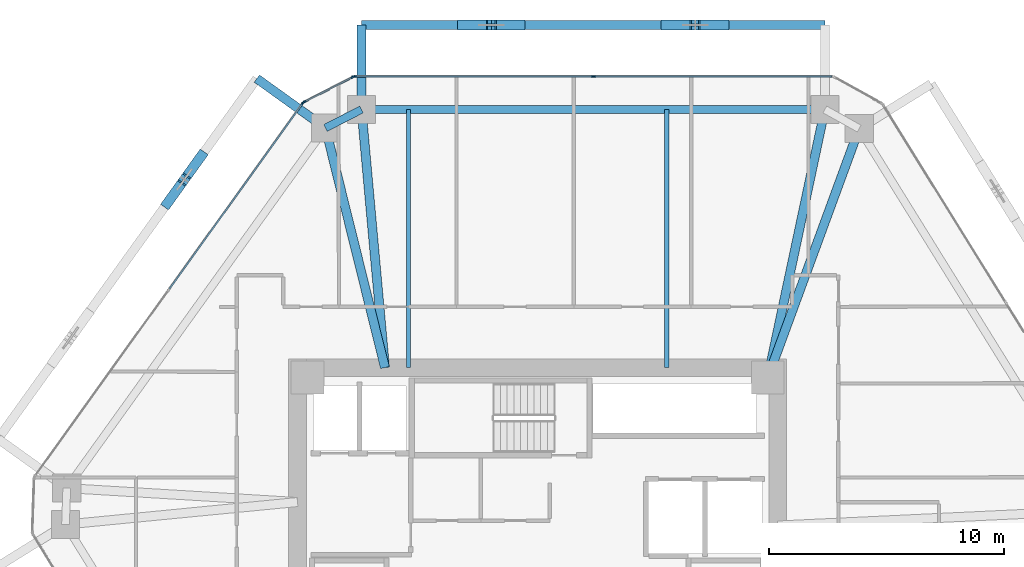
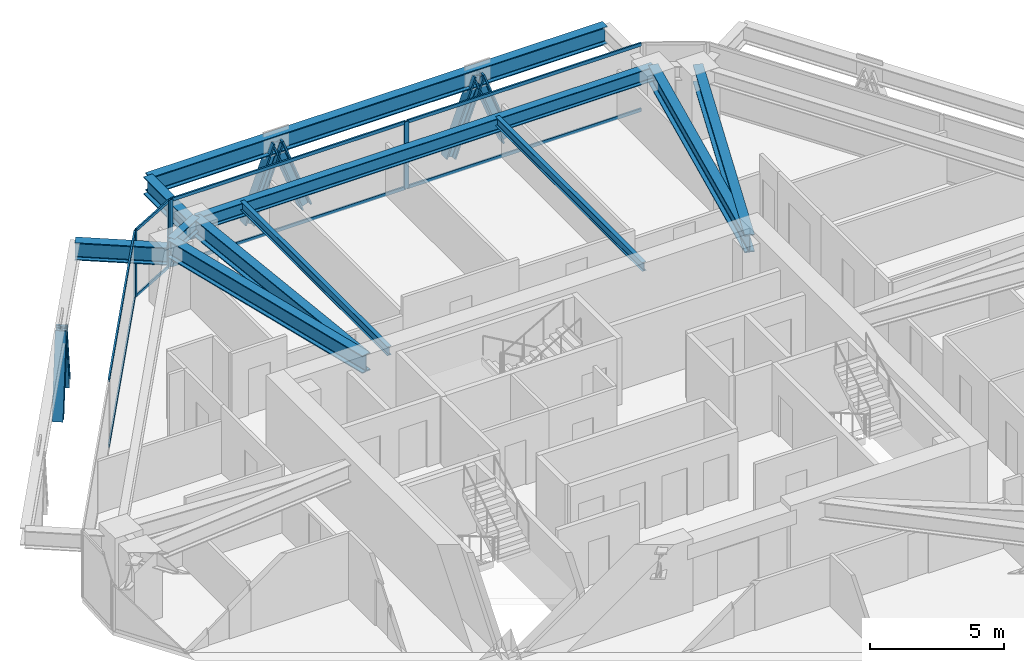
# One storey, part 7 of 16: 19 members, 11 beams, 3 elements without a shape of their own.
"""IFC4 building model written with IfcOpenShell, lengths in metres."""

import ifcopenshell
import ifcopenshell.guid

model = None  # the IFC model being written
_history = None  # IfcOwnerHistory: only IFC2X3 demands one
_inside = {}  # id of a spatial element -> (the spatial element, [elements in it])
_under = {}  # id of a project, library or spatial element -> (it, [spatial elements below it])
_declared = {}  # id of a project -> (the project, [libraries it declares])
_typed = {}  # id of a type object -> (the type object, [elements of that type])
_made_of = {}  # id of a material, layer set ... -> (it, [elements and type objects made of it])


def new_model(schema):
    """Start an empty IFC model of exactly this schema.

    Asked for "IFC4X3", IfcOpenShell would pick the latest addendum, in which some entities
    have other attributes; the version numbers below select the first issue.
    IFC2X3 requires an IfcOwnerHistory on every rooted entity: one is made here for all.
    """
    global model, _history
    if schema == "IFC4X3":
        model = ifcopenshell.file(schema_version=(4, 3, 0, 0))
    else:
        model = ifcopenshell.file(schema=schema)
    _inside.clear()
    _under.clear()
    _declared.clear()
    _typed.clear()
    _made_of.clear()
    _history = None
    if model.schema == "IFC2X3":
        org = make("IfcOrganization", Name="unknown")
        user = make(
            "IfcPersonAndOrganization",
            ThePerson=make("IfcPerson", FamilyName="unknown"),
            TheOrganization=org,
        )
        app = make(
            "IfcApplication",
            ApplicationDeveloper=org,
            Version="unknown",
            ApplicationFullName="unknown",
            ApplicationIdentifier="unknown",
        )
        _history = make(
            "IfcOwnerHistory",
            OwningUser=user,
            OwningApplication=app,
            ChangeAction="ADDED",
            CreationDate=0,
        )
    return model


def make(cls, **values):
    """One entity of the class cls with the attributes given. An attribute that is None is left unset."""
    return model.create_entity(
        cls, **{name: value for name, value in values.items() if value is not None}
    )


def rooted(cls, **values):
    """An entity with a GlobalId (a new one), such as an element, a storey or a relation."""
    return make(cls, GlobalId=ifcopenshell.guid.new(), OwnerHistory=_history, **values)


def si_unit(unit_type, name, prefix=None):
    """IfcSIUnit, for example si_unit("LENGTHUNIT", "METRE", prefix="MILLI")."""
    return make("IfcSIUnit", UnitType=unit_type, Prefix=prefix, Name=name)


def assignment(units):
    """IfcUnitAssignment: the units of a project."""
    return None if units is None else make("IfcUnitAssignment", Units=units)


def point(xyz):
    """IfcCartesianPoint."""
    return None if xyz is None else make("IfcCartesianPoint", Coordinates=xyz)


def direction(xyz):
    """IfcDirection."""
    return None if xyz is None else make("IfcDirection", DirectionRatios=xyz)


def frame(location, z_axis=None, x_axis=None):
    """IfcAxis2Placement3D, a coordinate frame: its origin and axes. An axis left out is left unset."""
    return make(
        "IfcAxis2Placement3D",
        Location=point(location),
        Axis=direction(z_axis),
        RefDirection=direction(x_axis),
    )


def frame_2d(location, x_axis=None):
    """IfcAxis2Placement2D, a coordinate frame in the plane: its origin and x axis."""
    return make(
        "IfcAxis2Placement2D", Location=point(location), RefDirection=direction(x_axis)
    )


def origin():
    """The frame at (0, 0, 0) with its axes left unset."""
    return frame((0.0, 0.0, 0.0))


def origin_2d():
    """The frame at (0, 0) in the plane with its x axis left unset."""
    return frame_2d((0.0, 0.0))


def place(relative_to, where):
    """IfcLocalPlacement: puts the frame where relative to a parent placement (None: the world)."""
    return make(
        "IfcLocalPlacement", PlacementRelTo=relative_to, RelativePlacement=where
    )


def context(
    kind, dimensions, precision=None, world=None, true_north=None, identifier=None
):
    """IfcGeometricRepresentationContext, for example the 3D "Model" context."""
    return make(
        "IfcGeometricRepresentationContext",
        ContextIdentifier=identifier,
        ContextType=kind,
        CoordinateSpaceDimension=dimensions,
        Precision=precision,
        WorldCoordinateSystem=world,
        TrueNorth=true_north,
    )


def subcontext(parent, identifier, kind, view, scale=None):
    """IfcGeometricRepresentationSubContext, for example "Body" below "Model"."""
    return make(
        "IfcGeometricRepresentationSubContext",
        ContextIdentifier=identifier,
        ContextType=kind,
        ParentContext=parent,
        TargetScale=scale,
        TargetView=view,
    )


def project(units=None, contexts=None):
    """IfcProject with its units and contexts."""
    return rooted(
        "IfcProject",
        Name="project",
        RepresentationContexts=contexts,
        UnitsInContext=assignment(units),
    )


def spatial(cls, under=None, at=None, **own):
    """A site, building, storey or space (cls), placed at a placement, below another one or the project."""
    s = rooted(cls, ObjectPlacement=at, **own)
    if under is not None:
        _under.setdefault(under.id(), (under, []))[1].append(s)
    return s


def profile(cls, at=None, kind="AREA", **sizes):
    """A parametric profile (cls). Its sizes go by their IFC names, for example OverallWidth=200.0."""
    return make(cls, ProfileType=kind, Position=at, **sizes)


def rectangle(**sizes):
    """IfcRectangleProfileDef."""
    return profile("IfcRectangleProfileDef", **sizes)


def i_section(**sizes):
    """IfcIShapeProfileDef."""
    return profile("IfcIShapeProfileDef", **sizes)


def extrude(swept, where, along, depth):
    """IfcExtrudedAreaSolid: the profile swept, set in the frame where, extruded along a direction by depth."""
    return make(
        "IfcExtrudedAreaSolid",
        SweptArea=swept,
        Position=where,
        ExtrudedDirection=direction(along),
        Depth=depth,
    )


def shape(context_of_items, identifier, shape_type, items):
    """IfcShapeRepresentation: the items that make up one representation, for example the "Body"."""
    return make(
        "IfcShapeRepresentation",
        ContextOfItems=context_of_items,
        RepresentationIdentifier=identifier,
        RepresentationType=shape_type,
        Items=items,
    )


def source(mapping_origin, context_of_items, identifier, shape_type, items):
    """IfcRepresentationMap: a shape defined once, which mapped items show again and again."""
    return make(
        "IfcRepresentationMap",
        MappingOrigin=mapping_origin,
        MappedRepresentation=shape(context_of_items, identifier, shape_type, items),
    )


def transform(
    local_origin,
    x_axis=None,
    y_axis=None,
    z_axis=None,
    scale=None,
    scale2=None,
    scale3=None,
    uniform=True,
):
    """IfcCartesianTransformationOperator3D, or its non-uniform kind. x_axis, y_axis, z_axis: its Axis1, 2, 3."""
    if uniform:
        return make(
            "IfcCartesianTransformationOperator3D",
            Axis1=direction(x_axis),
            Axis2=direction(y_axis),
            LocalOrigin=point(local_origin),
            Scale=scale,
            Axis3=direction(z_axis),
        )
    return make(
        "IfcCartesianTransformationOperator3DnonUniform",
        Axis1=direction(x_axis),
        Axis2=direction(y_axis),
        LocalOrigin=point(local_origin),
        Scale=scale,
        Axis3=direction(z_axis),
        Scale2=scale2,
        Scale3=scale3,
    )


def mapped(mapping_source, mapping_target):
    """IfcMappedItem: shows the shape of a source again, moved by a transform."""
    return make(
        "IfcMappedItem", MappingSource=mapping_source, MappingTarget=mapping_target
    )


def material(Name=None, Category=None):
    """IfcMaterial."""
    return make("IfcMaterial", Name=Name, Category=Category)


def layer(
    of_material, thickness, ventilated=None, Name=None, Category=None, Priority=None
):
    """IfcMaterialLayer: one layer of a wall or slab, of a material (None: an air gap)."""
    return make(
        "IfcMaterialLayer",
        Material=of_material,
        LayerThickness=thickness,
        IsVentilated=ventilated,
        Name=Name,
        Category=Category,
        Priority=Priority,
    )


def layer_set(layers, Name=None):
    """IfcMaterialLayerSet."""
    return make("IfcMaterialLayerSet", MaterialLayers=layers, LayerSetName=Name)


def material_profile(
    of_material, cross_section, Name=None, Category=None, Priority=None
):
    """IfcMaterialProfile: a cross section and its material."""
    return make(
        "IfcMaterialProfile",
        Name=Name,
        Material=of_material,
        Profile=cross_section,
        Priority=Priority,
        Category=Category,
    )


def profile_set(profiles, Name=None, composite=None):
    """IfcMaterialProfileSet."""
    return make(
        "IfcMaterialProfileSet",
        Name=Name,
        MaterialProfiles=profiles,
        CompositeProfile=composite,
    )


def made_of(thing, what):
    """Note that an element or type object is made of a material, layer set ...; save() writes the relation."""
    if what is not None:
        _made_of.setdefault(what.id(), (what, []))[1].append(thing)
    return thing


def type_object(cls, material=None, **own):
    """A type object (cls), such as IfcWallType, which elements share."""
    return made_of(rooted(cls, **own), material)


def type_shapes(of_type, sources):
    """Give a type object the sources (RepresentationMaps) that its elements show as mapped items."""
    of_type.RepresentationMaps = sources


def element(
    cls,
    number,
    at=None,
    inside=None,
    cuts=None,
    type_object=None,
    material=None,
    context=None,
    identifier="Body",
    shape_type=None,
    held_by="IfcProductDefinitionShape",
    body=None,
    shapes=None,
    **own,
):
    """One element of the class cls, such as IfcWall. Its Tag is "e" and its number.

    at: its placement. inside: the storey or other place that contains it. cuts: it is an
    opening in that element (IfcRelVoidsElement). A single representation is given by context,
    identifier, shape_type and body (its items); several are given by shapes. held_by: the class
    of the entity that holds the representations. save() writes the other relations.
    """
    e = rooted(cls, Tag="e%d" % number, ObjectPlacement=at, **own)
    if body is not None:
        shapes = [shape(context, identifier, shape_type, body)]
    if shapes is not None:
        e.Representation = make(held_by, Representations=shapes)
    if inside is not None:
        _inside.setdefault(inside.id(), (inside, []))[1].append(e)
    if cuts is not None:
        rooted(
            "IfcRelVoidsElement", RelatingBuildingElement=cuts, RelatedOpeningElement=e
        )
    if type_object is not None:
        _typed.setdefault(type_object.id(), (type_object, []))[1].append(e)
    return made_of(e, material)


def aggregate(whole, parts):
    """IfcRelAggregates: a whole, such as a stair, and the parts it consists of."""
    return rooted("IfcRelAggregates", RelatingObject=whole, RelatedObjects=parts)


def save(model, path):
    """Write the relations noted so far, then the file.

    IfcRelAggregates (storeys below a building ...), IfcRelContainedInSpatialStructure (elements
    in a storey), IfcRelDefinesByType, IfcRelAssociatesMaterial and IfcRelDeclares: one each for
    every whole, place, type object, material and project.
    """
    for whole, parts in _under.values():
        aggregate(whole, parts)
    for where, things in _inside.values():
        rooted(
            "IfcRelContainedInSpatialStructure",
            RelatedElements=things,
            RelatingStructure=where,
        )
    for kind, things in _typed.values():
        rooted("IfcRelDefinesByType", RelatedObjects=things, RelatingType=kind)
    for what, things in _made_of.values():
        rooted("IfcRelAssociatesMaterial", RelatedObjects=things, RelatingMaterial=what)
    for by, libraries in _declared.values():
        rooted("IfcRelDeclares", RelatingContext=by, RelatedDefinitions=libraries)
    model.write(path)


model = new_model("IFC4")

# Units and contexts
model_context = context("Model", 3, precision=1e-05, world=origin(), true_north=direction((0.0, 1.0)))
body_context = subcontext(model_context, "Body", "Model", "MODEL_VIEW")
ifc_project = project(units=[si_unit("LENGTHUNIT", "METRE"), si_unit("AREAUNIT", "SQUARE_METRE"), si_unit("VOLUMEUNIT", "CUBIC_METRE"), si_unit("PLANEANGLEUNIT", "RADIAN"), si_unit("MASSUNIT", "GRAM", prefix="KILO")], contexts=[model_context])

# Site, building, storey
site_placement = place(None, origin())
site = spatial("IfcSite", under=ifc_project, at=site_placement, CompositionType="ELEMENT")
building_placement = place(site_placement, origin())
building = spatial("IfcBuilding", under=site, at=building_placement, Name="Durnholm Broadcast Tower", CompositionType="ELEMENT")
storey_placement = place(building_placement, frame((0.0, 0.0, 130.5)))
storey = spatial("IfcBuildingStorey", under=building, at=storey_placement, Name="L35", CompositionType="ELEMENT", Elevation=130.5)

# Beams
ifc_material_1 = material(Name="Steel ASTM A992 Grade 50", Category="steel")
ifc_material_profile_1 = material_profile(ifc_material_1, i_section(OverallWidth=0.385009765625, OverallDepth=0.802978515625, WebThickness=0.023681640625, FlangeThickness=0.0419921875, FilletRadius=0.032958984375, at=origin_2d()), Name="W30X261")
ifc_profile_set_1 = profile_set([ifc_material_profile_1], Name="Steel ASTM A992 Grade 50")
beam_type_1 = type_object("IfcBeamType", Name="BM-EXO-TIE", PredefinedType="USERDEFINED", material=ifc_profile_set_1)
shared_shape_1 = source(origin(), body_context, "Body", "SweptSolid", [
    extrude(i_section(OverallWidth=0.385009765625, OverallDepth=0.802978515625, WebThickness=0.023681640625, FlangeThickness=0.0419921875, FilletRadius=0.032958984375, at=origin_2d()), origin(), (0.0, 0.0, 1.0), 3.4560546875),
])
beam_1_placement = place(storey_placement, frame((-7.498046875, 19.35888671875, 2.30859375), z_axis=(0.0, 1.0, 0.0), x_axis=(-1.0, 0.0, 0.0)))
element("IfcBeam", 1, at=beam_1_placement, inside=storey, type_object=beam_type_1, Name="L35 exoskeleton stand-off tie bracket F4.2", ObjectType="GIRDER", PredefinedType="USERDEFINED", context=body_context, shape_type="MappedRepresentation", body=[
    mapped(shared_shape_1, transform((0.0, 0.0, 0.0), x_axis=(1.0, 0.0, 0.0), y_axis=(0.0, 1.0, 0.0), z_axis=(0.0, 0.0, 1.0), scale=1.0)),
])
ifc_material_profile_2 = material_profile(ifc_material_1, i_section(OverallWidth=0.3291015625, OverallDepth=0.635009765625, WebThickness=0.017822265625, FlangeThickness=0.031005859375, FilletRadius=0.02783203125, at=origin_2d()), Name="W24X162")
ifc_profile_set_2 = profile_set([ifc_material_profile_2], Name="Steel ASTM A992 Grade 50")
beam_type_2 = type_object("IfcBeamType", Name="STL-SP-W24X162", PredefinedType="SPANDREL", material=ifc_profile_set_2)
shared_shape_2 = source(origin(), body_context, "Body", "SweptSolid", [
    extrude(i_section(OverallWidth=0.3291015625, OverallDepth=0.635009765625, WebThickness=0.017822265625, FlangeThickness=0.031005859375, FilletRadius=0.02783203125, at=origin_2d()), origin(), (0.0, 0.0, 1.0), 1.723876953125),
])
beam_2_placement = place(storey_placement, frame((-9.031982421875, 18.42822265625, 2.7275390625), z_axis=(0.889762904339, 0.456423020959, 0.0), x_axis=(-0.456423020959, 0.889762904339, 0.0)))
element("IfcBeam", 2, at=beam_2_placement, inside=storey, type_object=beam_type_2, Name="L35 perimeter spandrel girder 04", PredefinedType="SPANDREL", context=body_context, shape_type="MappedRepresentation", body=[
    mapped(shared_shape_2, transform((0.0, 0.0, 0.0), x_axis=(1.0, 0.0, 0.0), y_axis=(0.0, 1.0, 0.0), z_axis=(0.0, 0.0, 1.0), scale=1.0)),
])
shared_shape_3 = source(origin(), body_context, "Body", "SweptSolid", [
    extrude(i_section(OverallWidth=0.3291015625, OverallDepth=0.635009765625, WebThickness=0.017822265625, FlangeThickness=0.031005859375, FilletRadius=0.02783203125, at=origin_2d()), origin(), (0.0, 0.0, 1.0), 19.72802734375),
])
type_shapes(beam_type_2, [shared_shape_2, shared_shape_3])
beam_3_placement = place(storey_placement, frame((-7.498046875, 19.215087890625, 2.7275390625), z_axis=(1.0, 0.0, 0.0), x_axis=(0.0, 1.0, 0.0)))
element("IfcBeam", 3, at=beam_3_placement, inside=storey, type_object=beam_type_2, Name="L35 perimeter spandrel girder 05", PredefinedType="SPANDREL", context=body_context, shape_type="MappedRepresentation", body=[
    mapped(shared_shape_3, transform((0.0, 0.0, 0.0), x_axis=(1.0, 0.0, 0.0), y_axis=(0.0, 1.0, 0.0), z_axis=(0.0, 0.0, 1.0), scale=1.0)),
])
ifc_material_profile_3 = material_profile(ifc_material_1, i_section(OverallWidth=0.385009765625, OverallDepth=0.802978515625, WebThickness=0.023681640625, FlangeThickness=0.0419921875, FilletRadius=0.032958984375, at=origin_2d()), Name="W30X261")
ifc_profile_set_3 = profile_set([ifc_material_profile_3], Name="Steel ASTM A992 Grade 50")
beam_type_3 = type_object("IfcBeamType", Name="STL-GR-W30X261", PredefinedType="USERDEFINED", material=ifc_profile_set_3)
shared_shape_4 = source(origin(), body_context, "Body", "SweptSolid", [
    extrude(i_section(OverallWidth=0.385009765625, OverallDepth=0.802978515625, WebThickness=0.023681640625, FlangeThickness=0.0419921875, FilletRadius=0.032958984375, at=origin_2d()), origin(), (0.0, 0.0, 1.0), 10.5126953125),
])
beam_4_placement = place(storey_placement, frame((-6.5, 8.22509765625, 2.6435546875), z_axis=(-0.240852230194, 0.970561797729, 0.0), x_axis=(-0.970561797729, -0.240852230194, 0.0)))
element("IfcBeam", 4, at=beam_4_placement, inside=storey, type_object=beam_type_3, Name="L35 radial primary floor girder 04", ObjectType="GIRDER", PredefinedType="USERDEFINED", context=body_context, shape_type="MappedRepresentation", body=[
    mapped(shared_shape_4, transform((0.0, 0.0, 0.0), x_axis=(1.0, 0.0, 0.0), y_axis=(0.0, 1.0, 0.0), z_axis=(0.0, 0.0, 1.0), scale=1.0)),
])
shared_shape_5 = source(origin(), body_context, "Body", "SweptSolid", [
    extrude(i_section(OverallWidth=0.385009765625, OverallDepth=0.802978515625, WebThickness=0.023681640625, FlangeThickness=0.0419921875, FilletRadius=0.032958984375, at=origin_2d()), origin(), (0.0, 0.0, 1.0), 11.03515625),
])
beam_5_placement = place(storey_placement, frame((-6.5, 8.22509765625, 2.6435546875), z_axis=(-0.090441991612, 0.995901725148, 0.0), x_axis=(-0.995901725148, -0.090441991612, 0.0)))
element("IfcBeam", 5, at=beam_5_placement, inside=storey, type_object=beam_type_3, Name="L35 radial primary floor girder 05", ObjectType="GIRDER", PredefinedType="USERDEFINED", context=body_context, shape_type="MappedRepresentation", body=[
    mapped(shared_shape_5, transform((0.0, 0.0, 0.0), x_axis=(1.0, 0.0, 0.0), y_axis=(0.0, 1.0, 0.0), z_axis=(0.0, 0.0, 1.0), scale=1.0)),
])
shared_shape_6 = source(origin(), body_context, "Body", "SweptSolid", [
    extrude(i_section(OverallWidth=0.385009765625, OverallDepth=0.802978515625, WebThickness=0.023681640625, FlangeThickness=0.0419921875, FilletRadius=0.032958984375, at=origin_2d()), origin(), (0.0, 0.0, 1.0), 11.6708984375),
])
beam_6_placement = place(storey_placement, frame((9.800048828125, 7.800048828125, 2.6435546875), z_axis=(0.208206004915, 0.97808499606, 0.0), x_axis=(-0.97808499606, 0.208206004915, 0.0)))
element("IfcBeam", 6, at=beam_6_placement, inside=storey, type_object=beam_type_3, Name="L35 radial primary floor girder 06", ObjectType="GIRDER", PredefinedType="USERDEFINED", context=body_context, shape_type="MappedRepresentation", body=[
    mapped(shared_shape_6, transform((0.0, 0.0, 0.0), x_axis=(1.0, 0.0, 0.0), y_axis=(0.0, 1.0, 0.0), z_axis=(0.0, 0.0, 1.0), scale=1.0)),
])
shared_shape_7 = source(origin(), body_context, "Body", "SweptSolid", [
    extrude(i_section(OverallWidth=0.385009765625, OverallDepth=0.802978515625, WebThickness=0.023681640625, FlangeThickness=0.0419921875, FilletRadius=0.032958984375, at=origin_2d()), origin(), (0.0, 0.0, 1.0), 11.293212890625),
])
type_shapes(beam_type_3, [shared_shape_4, shared_shape_5, shared_shape_6, shared_shape_7])
beam_7_placement = place(storey_placement, frame((9.800048828125, 7.800048828125, 2.6435546875), z_axis=(0.344640193759, 0.938734859716, 0.0), x_axis=(-0.938734859716, 0.344640193759, 0.0)))
element("IfcBeam", 7, at=beam_7_placement, inside=storey, type_object=beam_type_3, Name="L35 radial primary floor girder 07", ObjectType="GIRDER", PredefinedType="USERDEFINED", context=body_context, shape_type="MappedRepresentation", body=[
    mapped(shared_shape_7, transform((0.0, 0.0, 0.0), x_axis=(1.0, 0.0, 0.0), y_axis=(0.0, 1.0, 0.0), z_axis=(0.0, 0.0, 1.0), scale=1.0)),
])
ifc_material_profile_4 = material_profile(ifc_material_1, i_section(OverallWidth=0.177734375, OverallDepth=0.40673828125, WebThickness=0.0078125, FlangeThickness=0.0126953125, FilletRadius=0.01904296875, at=origin_2d()), Name="W16X40")
ifc_profile_set_4 = profile_set([ifc_material_profile_4], Name="Steel ASTM A992 Grade 50")
beam_type_4 = type_object("IfcBeamType", Name="STL-BJ-W16X40", PredefinedType="JOIST", material=ifc_profile_set_4)
shared_shape_8 = source(origin(), body_context, "Body", "SweptSolid", [
    extrude(i_section(OverallWidth=0.177734375, OverallDepth=0.40673828125, WebThickness=0.0078125, FlangeThickness=0.0126953125, FilletRadius=0.01904296875, at=origin_2d()), origin(), (0.0, 0.0, 1.0), 10.989990234375),
])
type_shapes(beam_type_4, [shared_shape_8])
for number, where, z_axis, x_axis, name in (
    (8, (-5.5, 8.22509765625, 2.841796875), (0.0, 1.0, 0.0), (-1.0, 0.0, 0.0), "L35 secondary floor joist 3.2"),
    (9, (5.5, 8.22509765625, 2.841796875), (0.0, 1.0, 0.0), (-1.0, 0.0, 0.0), "L35 secondary floor joist 4.2"),
):
    element("IfcBeam", number, at=place(storey_placement, frame(where, z_axis=z_axis, x_axis=x_axis)), inside=storey, type_object=beam_type_4, Name=name, PredefinedType="JOIST", context=body_context, shape_type="MappedRepresentation", body=[
        mapped(shared_shape_8, transform((0.0, 0.0, 0.0), x_axis=(1.0, 0.0, 0.0), y_axis=(0.0, 1.0, 0.0), z_axis=(0.0, 0.0, 1.0), scale=1.0)),
    ])
shared_shape_9 = source(origin(), body_context, "Body", "SweptSolid", [
    extrude(i_section(OverallWidth=0.385009765625, OverallDepth=0.802978515625, WebThickness=0.023681640625, FlangeThickness=0.0419921875, FilletRadius=0.032958984375, at=origin_2d()), origin(), (0.0, 0.0, 1.0), 19.72802734375),
])
beam_8_placement = place(storey_placement, frame((12.22998046875, 22.81494140625, 2.30859375), z_axis=(-1.0, 0.0, 0.0), x_axis=(0.0, -1.0, 0.0)))
element("IfcBeam", 10, at=beam_8_placement, inside=storey, type_object=beam_type_1, Name="L35 exoskeleton collector spandrel F4", PredefinedType="SPANDREL", context=body_context, shape_type="MappedRepresentation", body=[
    mapped(shared_shape_9, transform((0.0, 0.0, 0.0), x_axis=(1.0, 0.0, 0.0), y_axis=(0.0, 1.0, 0.0), z_axis=(0.0, 0.0, 1.0), scale=1.0)),
])
shared_shape_10 = source(origin(), body_context, "Body", "SweptSolid", [
    extrude(i_section(OverallWidth=0.385009765625, OverallDepth=0.802978515625, WebThickness=0.023681640625, FlangeThickness=0.0419921875, FilletRadius=0.032958984375, at=origin_2d()), origin(), (0.0, 0.0, 1.0), 3.456298828125),
])
type_shapes(beam_type_1, [shared_shape_1, shared_shape_9, shared_shape_10])
beam_9_placement = place(storey_placement, frame((-9.14892578125, 18.51220703125, 2.30859375), z_axis=(-0.812131479052, 0.583474473077, 0.0), x_axis=(-0.583474473077, -0.812131479052, 0.0)))
element("IfcBeam", 11, at=beam_9_placement, inside=storey, type_object=beam_type_1, Name="L35 exoskeleton stand-off tie bracket F5.1", ObjectType="GIRDER", PredefinedType="USERDEFINED", context=body_context, shape_type="MappedRepresentation", body=[
    mapped(shared_shape_10, transform((0.0, 0.0, 0.0), x_axis=(1.0, 0.0, 0.0), y_axis=(0.0, 1.0, 0.0), z_axis=(0.0, 0.0, 1.0), scale=1.0)),
])

# Members
ifc_material_2 = material(Name="Steel ASTM A913 Grade 65", Category="steel")
ifc_material_profile_5 = material_profile(ifc_material_2, i_section(OverallWidth=0.41845703125, OverallDepth=0.455078125, WebThickness=0.0419921875, FlangeThickness=0.067626953125, FilletRadius=0.030517578125, at=origin_2d()), Name="W14X370")
ifc_profile_set_5 = profile_set([ifc_material_profile_5], Name="Steel ASTM A913 Grade 65")
member_type_1 = type_object("IfcMemberType", Name="STL-DG-W14X370", PredefinedType="BRACE", material=ifc_profile_set_5)
shared_shape_11 = source(origin(), body_context, "Body", "SweptSolid", [
    extrude(i_section(OverallWidth=0.41845703125, OverallDepth=0.455078125, WebThickness=0.0419921875, FlangeThickness=0.067626953125, FilletRadius=0.030517578125, at=origin_2d()), origin(), (0.0, 0.0, 1.0), 3.523193359375),
])
type_shapes(member_type_1, [shared_shape_11])
for number, where, z_axis, x_axis, name in (
    (12, (7.93994140625, 22.81494140625, -0.991455078125), (-0.350219588454, 0.0, 0.936667625075), (0.0, -1.0, 0.0), "L35 stand-off diagrid brace F4.D1.1"),
    (13, (5.472412109375, 22.81494140625, -0.991455078125), (0.350158790071, 0.0, 0.936690355313), (0.0, 1.0, 0.0), "L35 stand-off diagrid brace F4.D1.2"),
    (14, (-0.740478515625, 22.81494140625, -0.991455078125), (-0.350219588454, 0.0, 0.936667625075), (0.0, -1.0, 0.0), "L35 stand-off diagrid brace F4.D2.1"),
    (15, (-3.2080078125, 22.81494140625, -0.991455078125), (0.350158790071, 0.0, 0.936690355313), (0.0, 1.0, 0.0), "L35 stand-off diagrid brace F4.D2.2"),
    (16, (-14.321044921875, 17.236328125, -0.991455078125), (-0.204287819296, -0.284395254542, 0.936688756248), (0.812179469647, -0.583407669717, 0.0), "L35 stand-off diagrid brace F5.D1.1"),
    (17, (-15.7607421875, 15.232421875, -0.991455078125), (0.204354222964, 0.284391227889, 0.936675493998), (-0.812085698931, 0.583538188632, 0.0), "L35 stand-off diagrid brace F5.D1.2"),
):
    element("IfcMember", number, at=place(storey_placement, frame(where, z_axis=z_axis, x_axis=x_axis)), inside=storey, type_object=member_type_1, Name=name, PredefinedType="BRACE", context=body_context, shape_type="MappedRepresentation", body=[
        mapped(shared_shape_11, transform((0.0, 0.0, 0.0), x_axis=(1.0, 0.0, 0.0), y_axis=(0.0, 1.0, 0.0), z_axis=(0.0, 0.0, 1.0), scale=1.0)),
    ])

# Curtain wall, members
ifc_material_3 = material(Name="Aluminium and Solar Control IGU", Category="aluminium")
ifc_layer_1 = layer(ifc_material_3, 0.1650390625)
ifc_layer_set_1 = layer_set([ifc_layer_1], Name="Aluminium and Solar Control IGU")
curtain_wall_type_1 = type_object("IfcCurtainWallType", Name="CW-SYS-5", PredefinedType="NOTDEFINED", material=ifc_layer_set_1)
curtain_wall_1_placement = place(storey_placement, origin())
curtain_wall_1 = element("IfcCurtainWall", 18, at=curtain_wall_1_placement, inside=storey, type_object=curtain_wall_type_1, Name="L35 curtain wall CW-CORNER CW-L35-CRN-03", PredefinedType="NOTDEFINED")
ifc_material_4 = material(Name="Aluminium 6063-T6", Category="aluminium")
ifc_material_profile_6 = material_profile(ifc_material_4, rectangle(XDim=0.06494140625, YDim=0.1650390625, at=origin_2d()), Name="CWM65X165")
ifc_profile_set_6 = profile_set([ifc_material_profile_6], Name="Aluminium 6063-T6")
member_type_2 = type_object("IfcMemberType", Name="CW-SYS-5-MUL", PredefinedType="MULLION", material=ifc_profile_set_6)
shared_shape_12 = source(origin(), body_context, "Body", "SweptSolid", [
    extrude(rectangle(XDim=0.06494140625, YDim=0.1650390625, at=origin_2d()), origin(), (0.0, 0.0, 1.0), 3.06005859375),
])
type_shapes(member_type_2, [shared_shape_12])
member_1_placement = place(storey_placement, frame((-9.94287109375, 19.534423828125, 0.0), z_axis=(0.0, 0.0, 1.0), x_axis=(-0.45637332267, 0.889788396392, 0.0)))
member_1 = element("IfcMember", 19, at=member_1_placement, type_object=member_type_2, Name="CW-CORNER mullion 1", PredefinedType="MULLION", context=body_context, shape_type="MappedRepresentation", body=[
    mapped(shared_shape_12, transform((0.0, 0.0, 0.0), x_axis=(1.0, 0.0, 0.0), y_axis=(0.0, 1.0, 0.0), z_axis=(0.0, 0.0, 1.0), scale=1.0)),
])
member_2_placement = place(storey_placement, frame((-7.865234375, 20.60009765625, 0.0), z_axis=(0.0, 0.0, 1.0), x_axis=(-0.45637332267, 0.889788396392, 0.0)))
member_2 = element("IfcMember", 20, at=member_2_placement, type_object=member_type_2, Name="CW-CORNER mullion 2", PredefinedType="MULLION", context=body_context, shape_type="MappedRepresentation", body=[
    mapped(shared_shape_12, transform((0.0, 0.0, 0.0), x_axis=(1.0, 0.0, 0.0), y_axis=(0.0, 1.0, 0.0), z_axis=(0.0, 0.0, 1.0), scale=1.0)),
])

# Curtain wall, member
ifc_layer_2 = layer(ifc_material_3, 0.18994140625)
ifc_layer_set_2 = layer_set([ifc_layer_2], Name="Aluminium and Solar Control IGU")
curtain_wall_type_2 = type_object("IfcCurtainWallType", Name="CW-SYS-3", PredefinedType="NOTDEFINED", material=ifc_layer_set_2)
curtain_wall_2_placement = place(storey_placement, origin())
curtain_wall_2 = element("IfcCurtainWall", 21, at=curtain_wall_2_placement, inside=storey, type_object=curtain_wall_type_2, Name="L35 curtain wall CW-Z12-VIS CW-L35-F02", PredefinedType="NOTDEFINED")
ifc_material_profile_7 = material_profile(ifc_material_4, rectangle(XDim=0.070068359375, YDim=0.18994140625, at=origin_2d()), Name="CWM70X190")
ifc_profile_set_7 = profile_set([ifc_material_profile_7], Name="Aluminium 6063-T6")
member_type_3 = type_object("IfcMemberType", Name="CW-SYS-3-MUL", PredefinedType="MULLION", material=ifc_profile_set_7)
shared_shape_13 = source(origin(), body_context, "Body", "SweptSolid", [
    extrude(rectangle(XDim=0.070068359375, YDim=0.18994140625, at=origin_2d()), origin(), (0.0, 0.0, 1.0), 3.06005859375),
])
type_shapes(member_type_3, [shared_shape_13])
member_3_placement = place(storey_placement, frame((-9.9921875, 19.4912109375, 0.0), z_axis=(0.0, 0.0, 1.0), x_axis=(-0.812152312759, 0.583445473786, 0.0)))
member_3 = element("IfcMember", 22, at=member_3_placement, type_object=member_type_3, Name="CW-Z12-VIS mullion 3", PredefinedType="MULLION", context=body_context, shape_type="MappedRepresentation", body=[
    mapped(shared_shape_13, transform((0.0, 0.0, 0.0), x_axis=(1.0, 0.0, 0.0), y_axis=(0.0, 1.0, 0.0), z_axis=(0.0, 0.0, 1.0), scale=1.0)),
])

# Curtain wall, members
curtain_wall_3_placement = place(storey_placement, origin())
curtain_wall_3 = element("IfcCurtainWall", 23, at=curtain_wall_3_placement, inside=storey, type_object=curtain_wall_type_2, Name="L35 curtain wall CW-Z12-VIS CW-L35-F04", PredefinedType="NOTDEFINED")
member_4_placement = place(storey_placement, frame((-7.80126953125, 20.614990234375, 0.0), z_axis=(0.0, 0.0, 1.0), x_axis=(0.0, 1.0, 0.0)))
member_4 = element("IfcMember", 24, at=member_4_placement, type_object=member_type_3, Name="CW-Z12-VIS mullion 1", PredefinedType="MULLION", context=body_context, shape_type="MappedRepresentation", body=[
    mapped(shared_shape_13, transform((0.0, 0.0, 0.0), x_axis=(1.0, 0.0, 0.0), y_axis=(0.0, 1.0, 0.0), z_axis=(0.0, 0.0, 1.0), scale=1.0)),
])
member_5_placement = place(storey_placement, frame((2.37841796875, 20.614990234375, 0.0), z_axis=(0.0, 0.0, 1.0), x_axis=(0.0, 1.0, 0.0)))
member_5 = element("IfcMember", 25, at=member_5_placement, type_object=member_type_3, Name="CW-Z12-VIS mullion 2", PredefinedType="MULLION", context=body_context, shape_type="MappedRepresentation", body=[
    mapped(shared_shape_13, transform((0.0, 0.0, 0.0), x_axis=(1.0, 0.0, 0.0), y_axis=(0.0, 1.0, 0.0), z_axis=(0.0, 0.0, 1.0), scale=1.0)),
])

# Member
ifc_material_profile_8 = material_profile(ifc_material_4, rectangle(XDim=0.06494140625, YDim=0.1298828125, at=origin_2d()), Name="CWT65X130")
ifc_profile_set_8 = profile_set([ifc_material_profile_8], Name="Aluminium 6063-T6")
member_type_4 = type_object("IfcMemberType", Name="CW-SYS-5-TRN", PredefinedType="USERDEFINED", material=ifc_profile_set_8)
shared_shape_14 = source(origin(), body_context, "Body", "SweptSolid", [
    extrude(rectangle(XDim=0.06494140625, YDim=0.1298828125, at=origin_2d()), origin(), (0.0, 0.0, 1.0), 2.27001953125),
])
type_shapes(member_type_4, [shared_shape_14])
member_6_placement = place(storey_placement, frame((-9.913818359375, 19.54931640625, 0.032470703125), z_axis=(0.889754750021, 0.456438916849, 0.0), x_axis=(-0.456438916849, 0.889754750021, 0.0)))
member_6 = element("IfcMember", 26, at=member_6_placement, type_object=member_type_4, Name="CW-CORNER transom 1.1", ObjectType="TRANSOM", PredefinedType="USERDEFINED", context=body_context, shape_type="MappedRepresentation", body=[
    mapped(shared_shape_14, transform((0.0, 0.0, 0.0), x_axis=(1.0, 0.0, 0.0), y_axis=(0.0, 1.0, 0.0), z_axis=(0.0, 0.0, 1.0), scale=1.0)),
])

member_7_placement = place(storey_placement, frame((-9.913818359375, 19.54931640625, 3.027587890625), z_axis=(0.889754750021, 0.456438916849, 0.0), x_axis=(-0.456438916849, 0.889754750021, 0.0)))
member_7 = element("IfcMember", 27, at=member_7_placement, type_object=member_type_4, Name="CW-CORNER transom 1.2", ObjectType="TRANSOM", PredefinedType="USERDEFINED", context=body_context, shape_type="MappedRepresentation", body=[
    mapped(shared_shape_14, transform((0.0, 0.0, 0.0), x_axis=(1.0, 0.0, 0.0), y_axis=(0.0, 1.0, 0.0), z_axis=(0.0, 0.0, 1.0), scale=1.0)),
])

aggregate(curtain_wall_1, [member_1, member_2, member_6, member_7])

ifc_material_profile_9 = material_profile(ifc_material_4, rectangle(XDim=0.070068359375, YDim=0.14990234375, at=origin_2d()), Name="CWT70X150")
ifc_profile_set_9 = profile_set([ifc_material_profile_9], Name="Aluminium 6063-T6")
member_type_5 = type_object("IfcMemberType", Name="CW-SYS-3-TRN", PredefinedType="USERDEFINED", material=ifc_profile_set_9)
shared_shape_15 = source(origin(), body_context, "Body", "SweptSolid", [
    extrude(rectangle(XDim=0.070068359375, YDim=0.14990234375, at=origin_2d()), origin(), (0.0, 0.0, 1.0), 9.71875),
])
member_8_placement = place(storey_placement, frame((-15.682861328125, 11.56982421875, 0.034912109375), z_axis=(0.583450726174, 0.812148539448, 0.0), x_axis=(-0.812148539448, 0.583450726174, 0.0)))
member_8 = element("IfcMember", 28, at=member_8_placement, type_object=member_type_5, Name="CW-Z12-VIS transom 2.1", ObjectType="TRANSOM", PredefinedType="USERDEFINED", context=body_context, shape_type="MappedRepresentation", body=[
    mapped(shared_shape_15, transform((0.0, 0.0, 0.0), x_axis=(1.0, 0.0, 0.0), y_axis=(0.0, 1.0, 0.0), z_axis=(0.0, 0.0, 1.0), scale=1.0)),
])

member_9_placement = place(storey_placement, frame((-15.682861328125, 11.56982421875, 3.02490234375), z_axis=(0.583450726174, 0.812148539448, 0.0), x_axis=(-0.812148539448, 0.583450726174, 0.0)))
member_9 = element("IfcMember", 29, at=member_9_placement, type_object=member_type_5, Name="CW-Z12-VIS transom 2.2", ObjectType="TRANSOM", PredefinedType="USERDEFINED", context=body_context, shape_type="MappedRepresentation", body=[
    mapped(shared_shape_15, transform((0.0, 0.0, 0.0), x_axis=(1.0, 0.0, 0.0), y_axis=(0.0, 1.0, 0.0), z_axis=(0.0, 0.0, 1.0), scale=1.0)),
])

aggregate(curtain_wall_2, [member_3, member_8, member_9])

shared_shape_16 = source(origin(), body_context, "Body", "SweptSolid", [
    extrude(rectangle(XDim=0.070068359375, YDim=0.14990234375, at=origin_2d()), origin(), (0.0, 0.0, 1.0), 10.109619140625),
])
type_shapes(member_type_5, [shared_shape_15, shared_shape_16])
member_10_placement = place(storey_placement, frame((-7.76611328125, 20.614990234375, 0.034912109375), z_axis=(1.0, 0.0, 0.0), x_axis=(0.0, 1.0, 0.0)))
member_10 = element("IfcMember", 30, at=member_10_placement, type_object=member_type_5, Name="CW-Z12-VIS transom 1.1", ObjectType="TRANSOM", PredefinedType="USERDEFINED", context=body_context, shape_type="MappedRepresentation", body=[
    mapped(shared_shape_16, transform((0.0, 0.0, 0.0), x_axis=(1.0, 0.0, 0.0), y_axis=(0.0, 1.0, 0.0), z_axis=(0.0, 0.0, 1.0), scale=1.0)),
])

member_11_placement = place(storey_placement, frame((-7.76611328125, 20.614990234375, 3.02490234375), z_axis=(1.0, 0.0, 0.0), x_axis=(0.0, 1.0, 0.0)))
member_11 = element("IfcMember", 31, at=member_11_placement, type_object=member_type_5, Name="CW-Z12-VIS transom 1.2", ObjectType="TRANSOM", PredefinedType="USERDEFINED", context=body_context, shape_type="MappedRepresentation", body=[
    mapped(shared_shape_16, transform((0.0, 0.0, 0.0), x_axis=(1.0, 0.0, 0.0), y_axis=(0.0, 1.0, 0.0), z_axis=(0.0, 0.0, 1.0), scale=1.0)),
])

member_12_placement = place(storey_placement, frame((2.41357421875, 20.614990234375, 0.034912109375), z_axis=(1.0, 0.0, 0.0), x_axis=(0.0, 1.0, 0.0)))
member_12 = element("IfcMember", 32, at=member_12_placement, type_object=member_type_5, Name="CW-Z12-VIS transom 2.1", ObjectType="TRANSOM", PredefinedType="USERDEFINED", context=body_context, shape_type="MappedRepresentation", body=[
    mapped(shared_shape_16, transform((0.0, 0.0, 0.0), x_axis=(1.0, 0.0, 0.0), y_axis=(0.0, 1.0, 0.0), z_axis=(0.0, 0.0, 1.0), scale=1.0)),
])

member_13_placement = place(storey_placement, frame((2.41357421875, 20.614990234375, 3.02490234375), z_axis=(1.0, 0.0, 0.0), x_axis=(0.0, 1.0, 0.0)))
member_13 = element("IfcMember", 33, at=member_13_placement, type_object=member_type_5, Name="CW-Z12-VIS transom 2.2", ObjectType="TRANSOM", PredefinedType="USERDEFINED", context=body_context, shape_type="MappedRepresentation", body=[
    mapped(shared_shape_16, transform((0.0, 0.0, 0.0), x_axis=(1.0, 0.0, 0.0), y_axis=(0.0, 1.0, 0.0), z_axis=(0.0, 0.0, 1.0), scale=1.0)),
])

aggregate(curtain_wall_3, [member_4, member_5, member_10, member_11, member_12, member_13])

save(model, "model.ifc")
